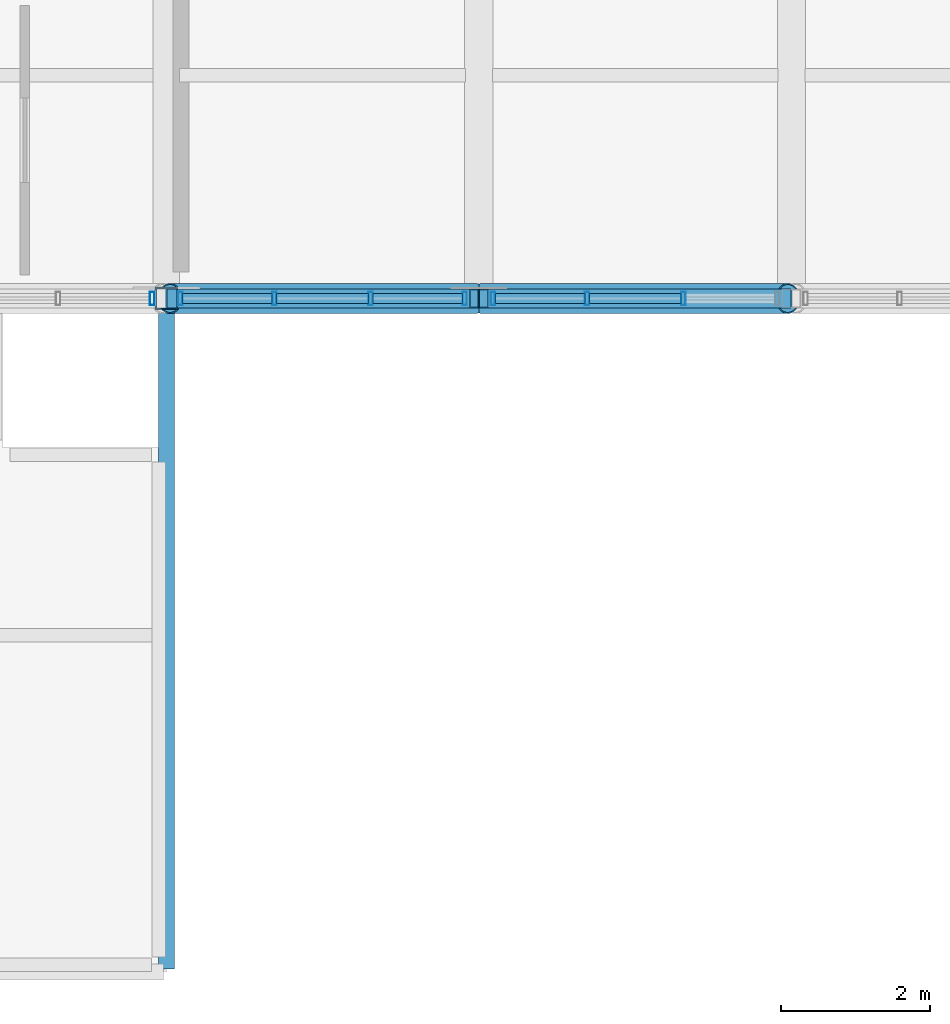
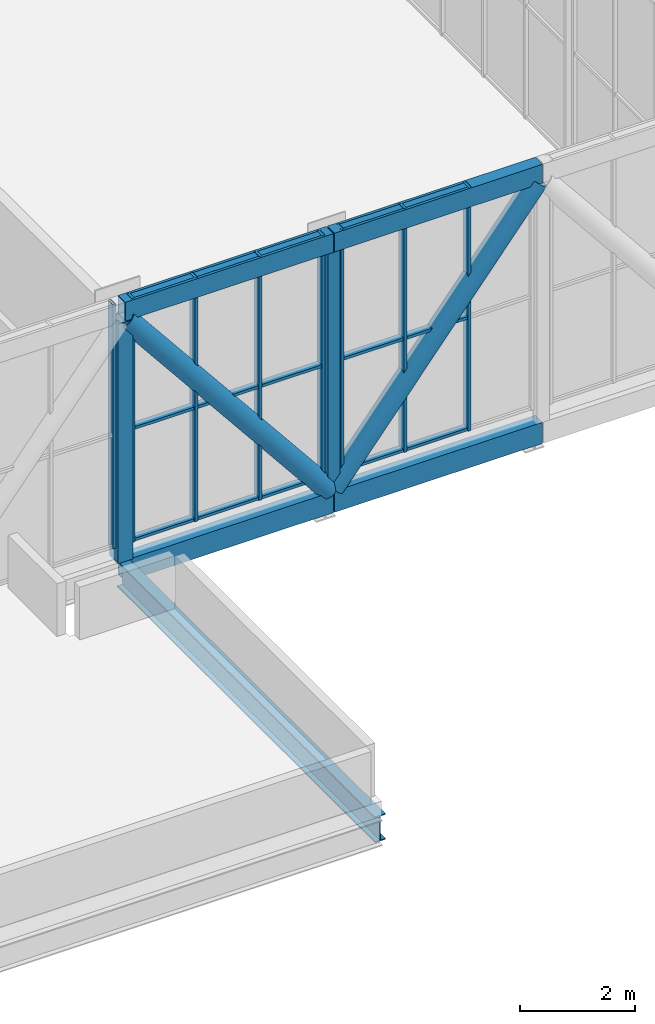
# One storey, part 36 of 58: 31 members, 1 beam, 3 elements without a shape of their own.
"""IFC4 building model written with IfcOpenShell, lengths in metres."""

from ifc_helpers import new_model, si_unit, direction, frame, origin, origin_2d, place, context, subcontext, project, spatial, hollow_rectangle, hollow_circle, i_section, extrude, material, material_profile, profile_set, type_object, element, aggregate, save


model = new_model("IFC4")

# Units and contexts
model_context = context("Model", 3, precision=1e-05, world=origin(), true_north=direction((0.0, 1.0)))
body_context = subcontext(model_context, "Body", "Model", "MODEL_VIEW")
ifc_project = project(units=[si_unit("LENGTHUNIT", "METRE"), si_unit("AREAUNIT", "SQUARE_METRE"), si_unit("VOLUMEUNIT", "CUBIC_METRE"), si_unit("PLANEANGLEUNIT", "RADIAN"), si_unit("MASSUNIT", "GRAM", prefix="KILO")], contexts=[model_context])

# Site, building, storey
site_placement = place(None, origin())
site = spatial("IfcSite", under=ifc_project, at=site_placement, CompositionType="ELEMENT")
building_placement = place(site_placement, origin())
building = spatial("IfcBuilding", under=site, at=building_placement, Name="Khurvash Pelagic Aquarium", CompositionType="ELEMENT")
storey_placement = place(building_placement, frame((0.0, 0.0, 24.60009765625)))
storey = spatial("IfcBuildingStorey", under=building, at=storey_placement, Name="L05", CompositionType="ELEMENT", Elevation=24.60009765625)

# Beam
ifc_material_1 = material(Name="Steel ASTM A992 Grade 50", Category="steel")
ifc_material_profile_1 = material_profile(ifc_material_1, i_section(OverallWidth=0.214111328125, OverallDepth=0.549072265625, WebThickness=0.0146484375, FlangeThickness=0.023681640625, at=origin_2d()), Name="W21X93")
ifc_profile_set_1 = profile_set([ifc_material_profile_1], Name="Steel ASTM A992 Grade 50")
beam_type = type_object("IfcBeamType", Name="BM-11", PredefinedType="BEAM", material=ifc_profile_set_1)
beam_placement = place(storey_placement, frame((109.199951171875, 2.639892578125, -0.594482421875), z_axis=(0.0, 1.0, 0.0), x_axis=(-1.0, 0.0, 0.0)))
element("IfcBeam", 1, at=beam_placement, inside=storey, type_object=beam_type, Name="L05 Roof Girder BM-11 01290", PredefinedType="BEAM", context=body_context, shape_type="SweptSolid", body=[
    extrude(i_section(OverallWidth=0.214111328125, OverallDepth=0.549072265625, WebThickness=0.0146484375, FlangeThickness=0.023681640625, at=origin_2d()), origin(), (0.0, 0.0, 1.0), 8.97021484375),
])

# Curtain wall, member
ifc_material_2 = material(Name="Anodised aluminium and low-E laminated glass", Category="aluminium")
curtain_wall_type = type_object("IfcCurtainWallType", Name="CW-01", PredefinedType="USERDEFINED", material=ifc_material_2)
curtain_wall_1_placement = place(storey_placement, origin())
curtain_wall_1 = element("IfcCurtainWall", 2, at=curtain_wall_1_placement, inside=storey, type_object=curtain_wall_type, Name="L05 South Sky-Bar Unitised Curtain Wall CW-01 P23", ObjectType="UNITISED CURTAIN WALL", PredefinedType="USERDEFINED")
ifc_material_3 = material(Name="Extruded aluminium AW-6063-T6", Category="aluminium")
ifc_material_profile_2 = material_profile(ifc_material_3, hollow_rectangle(XDim=0.06005859375, YDim=0.179931640625, WallThickness=0.00390625, at=origin_2d()), Name="CWM60X180X4")
ifc_profile_set_2 = profile_set([ifc_material_profile_2], Name="Extruded aluminium AW-6063-T6")
member_type_1 = type_object("IfcMemberType", Name="CM-01", PredefinedType="MULLION", material=ifc_profile_set_2)
member_1_placement = place(storey_placement, frame((109.010009765625, 11.64990234375, 0.0), z_axis=(0.0, 0.0, 1.0), x_axis=(1.0, 0.0, 0.0)))
member_1 = element("IfcMember", 3, at=member_1_placement, type_object=member_type_1, Name="CW-01 mullion 4", PredefinedType="MULLION", context=body_context, shape_type="SweptSolid", body=[
    extrude(hollow_rectangle(XDim=0.06005859375, YDim=0.179931640625, WallThickness=0.00390625, at=origin_2d()), origin(), (0.0, 0.0, 1.0), 5.179931640625),
])
aggregate(curtain_wall_1, [member_1])

# Curtain wall, members
curtain_wall_2_placement = place(storey_placement, origin())
curtain_wall_2 = element("IfcCurtainWall", 4, at=curtain_wall_2_placement, inside=storey, type_object=curtain_wall_type, Name="L05 South Sky-Bar Unitised Curtain Wall CW-01 P24", ObjectType="UNITISED CURTAIN WALL", PredefinedType="USERDEFINED")
member_2_placement = place(storey_placement, frame((109.389892578125, 11.64990234375, 0.0), z_axis=(0.0, 0.0, 1.0), x_axis=(1.0, 0.0, 0.0)))
member_2 = element("IfcMember", 5, at=member_2_placement, type_object=member_type_1, Name="CW-01 mullion 1", PredefinedType="MULLION", context=body_context, shape_type="SweptSolid", body=[
    extrude(hollow_rectangle(XDim=0.06005859375, YDim=0.179931640625, WallThickness=0.00390625, at=origin_2d()), origin(), (0.0, 0.0, 1.0), 5.179931640625),
])
member_3_placement = place(storey_placement, frame((110.6533203125, 11.64990234375, 0.0), z_axis=(0.0, 0.0, 1.0), x_axis=(1.0, 0.0, 0.0)))
member_3 = element("IfcMember", 6, at=member_3_placement, type_object=member_type_1, Name="CW-01 mullion 2", PredefinedType="MULLION", context=body_context, shape_type="SweptSolid", body=[
    extrude(hollow_rectangle(XDim=0.06005859375, YDim=0.179931640625, WallThickness=0.00390625, at=origin_2d()), origin(), (0.0, 0.0, 1.0), 5.179931640625),
])
member_4_placement = place(storey_placement, frame((111.94677734375, 11.64990234375, 0.0), z_axis=(0.0, 0.0, 1.0), x_axis=(1.0, 0.0, 0.0)))
member_4 = element("IfcMember", 7, at=member_4_placement, type_object=member_type_1, Name="CW-01 mullion 3", PredefinedType="MULLION", context=body_context, shape_type="SweptSolid", body=[
    extrude(hollow_rectangle(XDim=0.06005859375, YDim=0.179931640625, WallThickness=0.00390625, at=origin_2d()), origin(), (0.0, 0.0, 1.0), 5.179931640625),
])
member_5_placement = place(storey_placement, frame((113.2099609375, 11.64990234375, 0.0), z_axis=(0.0, 0.0, 1.0), x_axis=(1.0, 0.0, 0.0)))
member_5 = element("IfcMember", 8, at=member_5_placement, type_object=member_type_1, Name="CW-01 mullion 4", PredefinedType="MULLION", context=body_context, shape_type="SweptSolid", body=[
    extrude(hollow_rectangle(XDim=0.06005859375, YDim=0.179931640625, WallThickness=0.00390625, at=origin_2d()), origin(), (0.0, 0.0, 1.0), 5.179931640625),
])

curtain_wall_3_placement = place(storey_placement, origin())
curtain_wall_3 = element("IfcCurtainWall", 9, at=curtain_wall_3_placement, inside=storey, type_object=curtain_wall_type, Name="L05 South Sky-Bar Unitised Curtain Wall CW-01 P25", ObjectType="UNITISED CURTAIN WALL", PredefinedType="USERDEFINED")
member_6_placement = place(storey_placement, frame((113.590087890625, 11.64990234375, 0.0), z_axis=(0.0, 0.0, 1.0), x_axis=(1.0, 0.0, 0.0)))
member_6 = element("IfcMember", 10, at=member_6_placement, type_object=member_type_1, Name="CW-01 mullion 1", PredefinedType="MULLION", context=body_context, shape_type="SweptSolid", body=[
    extrude(hollow_rectangle(XDim=0.06005859375, YDim=0.179931640625, WallThickness=0.00390625, at=origin_2d()), origin(), (0.0, 0.0, 1.0), 5.179931640625),
])
member_7_placement = place(storey_placement, frame((114.853271484375, 11.64990234375, 0.0), z_axis=(0.0, 0.0, 1.0), x_axis=(1.0, 0.0, 0.0)))
member_7 = element("IfcMember", 11, at=member_7_placement, type_object=member_type_1, Name="CW-01 mullion 2", PredefinedType="MULLION", context=body_context, shape_type="SweptSolid", body=[
    extrude(hollow_rectangle(XDim=0.06005859375, YDim=0.179931640625, WallThickness=0.00390625, at=origin_2d()), origin(), (0.0, 0.0, 1.0), 5.179931640625),
])
member_8_placement = place(storey_placement, frame((116.146728515625, 11.64990234375, 0.0), z_axis=(0.0, 0.0, 1.0), x_axis=(1.0, 0.0, 0.0)))
member_8 = element("IfcMember", 12, at=member_8_placement, type_object=member_type_1, Name="CW-01 mullion 3", PredefinedType="MULLION", context=body_context, shape_type="SweptSolid", body=[
    extrude(hollow_rectangle(XDim=0.06005859375, YDim=0.179931640625, WallThickness=0.00390625, at=origin_2d()), origin(), (0.0, 0.0, 1.0), 5.179931640625),
])

# Member
ifc_material_profile_3 = material_profile(ifc_material_3, hollow_rectangle(XDim=0.139892578125, YDim=0.06005859375, WallThickness=0.00390625, at=origin_2d()), Name="CWT140X60X4")
ifc_profile_set_3 = profile_set([ifc_material_profile_3], Name="Extruded aluminium AW-6063-T6")
member_type_2 = type_object("IfcMemberType", Name="CT-01", PredefinedType="USERDEFINED", material=ifc_profile_set_3)
member_9_placement = place(storey_placement, frame((109.419921875, 11.64990234375, 0.02978515625), z_axis=(1.0, 0.0, 0.0), x_axis=(0.0, 1.0, 0.0)))
member_9 = element("IfcMember", 13, at=member_9_placement, type_object=member_type_2, Name="CW-01 transom 1.1", ObjectType="TRANSOM", PredefinedType="USERDEFINED", context=body_context, shape_type="SweptSolid", body=[
    extrude(hollow_rectangle(XDim=0.139892578125, YDim=0.06005859375, WallThickness=0.00390625, at=origin_2d()), origin(), (0.0, 0.0, 1.0), 1.203369140625),
])

member_10_placement = place(storey_placement, frame((109.419921875, 11.64990234375, 2.39990234375), z_axis=(1.0, 0.0, 0.0), x_axis=(0.0, 1.0, 0.0)))
member_10 = element("IfcMember", 14, at=member_10_placement, type_object=member_type_2, Name="CW-01 transom 1.2", ObjectType="TRANSOM", PredefinedType="USERDEFINED", context=body_context, shape_type="SweptSolid", body=[
    extrude(hollow_rectangle(XDim=0.139892578125, YDim=0.06005859375, WallThickness=0.00390625, at=origin_2d()), origin(), (0.0, 0.0, 1.0), 1.203369140625),
])

member_11_placement = place(storey_placement, frame((109.419921875, 11.64990234375, 5.14990234375), z_axis=(1.0, 0.0, 0.0), x_axis=(0.0, 1.0, 0.0)))
member_11 = element("IfcMember", 15, at=member_11_placement, type_object=member_type_2, Name="CW-01 transom 1.3", ObjectType="TRANSOM", PredefinedType="USERDEFINED", context=body_context, shape_type="SweptSolid", body=[
    extrude(hollow_rectangle(XDim=0.139892578125, YDim=0.06005859375, WallThickness=0.00390625, at=origin_2d()), origin(), (0.0, 0.0, 1.0), 1.203369140625),
])

member_12_placement = place(storey_placement, frame((110.683349609375, 11.64990234375, 0.02978515625), z_axis=(1.0, 0.0, 0.0), x_axis=(0.0, 1.0, 0.0)))
member_12 = element("IfcMember", 16, at=member_12_placement, type_object=member_type_2, Name="CW-01 transom 2.1", ObjectType="TRANSOM", PredefinedType="USERDEFINED", context=body_context, shape_type="SweptSolid", body=[
    extrude(hollow_rectangle(XDim=0.139892578125, YDim=0.06005859375, WallThickness=0.00390625, at=origin_2d()), origin(), (0.0, 0.0, 1.0), 1.2333984375),
])

member_13_placement = place(storey_placement, frame((110.683349609375, 11.64990234375, 2.39990234375), z_axis=(1.0, 0.0, 0.0), x_axis=(0.0, 1.0, 0.0)))
member_13 = element("IfcMember", 17, at=member_13_placement, type_object=member_type_2, Name="CW-01 transom 2.2", ObjectType="TRANSOM", PredefinedType="USERDEFINED", context=body_context, shape_type="SweptSolid", body=[
    extrude(hollow_rectangle(XDim=0.139892578125, YDim=0.06005859375, WallThickness=0.00390625, at=origin_2d()), origin(), (0.0, 0.0, 1.0), 1.2333984375),
])

member_14_placement = place(storey_placement, frame((110.683349609375, 11.64990234375, 5.14990234375), z_axis=(1.0, 0.0, 0.0), x_axis=(0.0, 1.0, 0.0)))
member_14 = element("IfcMember", 18, at=member_14_placement, type_object=member_type_2, Name="CW-01 transom 2.3", ObjectType="TRANSOM", PredefinedType="USERDEFINED", context=body_context, shape_type="SweptSolid", body=[
    extrude(hollow_rectangle(XDim=0.139892578125, YDim=0.06005859375, WallThickness=0.00390625, at=origin_2d()), origin(), (0.0, 0.0, 1.0), 1.2333984375),
])

member_15_placement = place(storey_placement, frame((111.9765625, 11.64990234375, 0.02978515625), z_axis=(1.0, 0.0, 0.0), x_axis=(0.0, 1.0, 0.0)))
member_15 = element("IfcMember", 19, at=member_15_placement, type_object=member_type_2, Name="CW-01 transom 3.1", ObjectType="TRANSOM", PredefinedType="USERDEFINED", context=body_context, shape_type="SweptSolid", body=[
    extrude(hollow_rectangle(XDim=0.139892578125, YDim=0.06005859375, WallThickness=0.00390625, at=origin_2d()), origin(), (0.0, 0.0, 1.0), 1.203369140625),
])

member_16_placement = place(storey_placement, frame((111.9765625, 11.64990234375, 2.39990234375), z_axis=(1.0, 0.0, 0.0), x_axis=(0.0, 1.0, 0.0)))
member_16 = element("IfcMember", 20, at=member_16_placement, type_object=member_type_2, Name="CW-01 transom 3.2", ObjectType="TRANSOM", PredefinedType="USERDEFINED", context=body_context, shape_type="SweptSolid", body=[
    extrude(hollow_rectangle(XDim=0.139892578125, YDim=0.06005859375, WallThickness=0.00390625, at=origin_2d()), origin(), (0.0, 0.0, 1.0), 1.203369140625),
])

member_17_placement = place(storey_placement, frame((111.9765625, 11.64990234375, 5.14990234375), z_axis=(1.0, 0.0, 0.0), x_axis=(0.0, 1.0, 0.0)))
member_17 = element("IfcMember", 21, at=member_17_placement, type_object=member_type_2, Name="CW-01 transom 3.3", ObjectType="TRANSOM", PredefinedType="USERDEFINED", context=body_context, shape_type="SweptSolid", body=[
    extrude(hollow_rectangle(XDim=0.139892578125, YDim=0.06005859375, WallThickness=0.00390625, at=origin_2d()), origin(), (0.0, 0.0, 1.0), 1.203369140625),
])

aggregate(curtain_wall_2, [member_2, member_3, member_4, member_5, member_9, member_10, member_11, member_12, member_13, member_14, member_15, member_16, member_17])

member_18_placement = place(storey_placement, frame((113.6201171875, 11.64990234375, 0.02978515625), z_axis=(1.0, 0.0, 0.0), x_axis=(0.0, 1.0, 0.0)))
member_18 = element("IfcMember", 22, at=member_18_placement, type_object=member_type_2, Name="CW-01 transom 1.1", ObjectType="TRANSOM", PredefinedType="USERDEFINED", context=body_context, shape_type="SweptSolid", body=[
    extrude(hollow_rectangle(XDim=0.139892578125, YDim=0.06005859375, WallThickness=0.00390625, at=origin_2d()), origin(), (0.0, 0.0, 1.0), 1.203125),
])

member_19_placement = place(storey_placement, frame((113.6201171875, 11.64990234375, 2.39990234375), z_axis=(1.0, 0.0, 0.0), x_axis=(0.0, 1.0, 0.0)))
member_19 = element("IfcMember", 23, at=member_19_placement, type_object=member_type_2, Name="CW-01 transom 1.2", ObjectType="TRANSOM", PredefinedType="USERDEFINED", context=body_context, shape_type="SweptSolid", body=[
    extrude(hollow_rectangle(XDim=0.139892578125, YDim=0.06005859375, WallThickness=0.00390625, at=origin_2d()), origin(), (0.0, 0.0, 1.0), 1.203125),
])

member_20_placement = place(storey_placement, frame((113.6201171875, 11.64990234375, 5.14990234375), z_axis=(1.0, 0.0, 0.0), x_axis=(0.0, 1.0, 0.0)))
member_20 = element("IfcMember", 24, at=member_20_placement, type_object=member_type_2, Name="CW-01 transom 1.3", ObjectType="TRANSOM", PredefinedType="USERDEFINED", context=body_context, shape_type="SweptSolid", body=[
    extrude(hollow_rectangle(XDim=0.139892578125, YDim=0.06005859375, WallThickness=0.00390625, at=origin_2d()), origin(), (0.0, 0.0, 1.0), 1.203125),
])

member_21_placement = place(storey_placement, frame((114.88330078125, 11.64990234375, 0.02978515625), z_axis=(1.0, 0.0, 0.0), x_axis=(0.0, 1.0, 0.0)))
member_21 = element("IfcMember", 25, at=member_21_placement, type_object=member_type_2, Name="CW-01 transom 2.1", ObjectType="TRANSOM", PredefinedType="USERDEFINED", context=body_context, shape_type="SweptSolid", body=[
    extrude(hollow_rectangle(XDim=0.139892578125, YDim=0.06005859375, WallThickness=0.00390625, at=origin_2d()), origin(), (0.0, 0.0, 1.0), 1.2333984375),
])

member_22_placement = place(storey_placement, frame((114.88330078125, 11.64990234375, 2.39990234375), z_axis=(1.0, 0.0, 0.0), x_axis=(0.0, 1.0, 0.0)))
member_22 = element("IfcMember", 26, at=member_22_placement, type_object=member_type_2, Name="CW-01 transom 2.2", ObjectType="TRANSOM", PredefinedType="USERDEFINED", context=body_context, shape_type="SweptSolid", body=[
    extrude(hollow_rectangle(XDim=0.139892578125, YDim=0.06005859375, WallThickness=0.00390625, at=origin_2d()), origin(), (0.0, 0.0, 1.0), 1.2333984375),
])

member_23_placement = place(storey_placement, frame((114.88330078125, 11.64990234375, 5.14990234375), z_axis=(1.0, 0.0, 0.0), x_axis=(0.0, 1.0, 0.0)))
member_23 = element("IfcMember", 27, at=member_23_placement, type_object=member_type_2, Name="CW-01 transom 2.3", ObjectType="TRANSOM", PredefinedType="USERDEFINED", context=body_context, shape_type="SweptSolid", body=[
    extrude(hollow_rectangle(XDim=0.139892578125, YDim=0.06005859375, WallThickness=0.00390625, at=origin_2d()), origin(), (0.0, 0.0, 1.0), 1.2333984375),
])

aggregate(curtain_wall_3, [member_6, member_7, member_8, member_18, member_19, member_20, member_21, member_22, member_23])

# Members
ifc_material_4 = material(Name="Steel S355J2", Category="steel")
ifc_material_profile_4 = material_profile(ifc_material_4, hollow_rectangle(XDim=0.25, YDim=0.449951171875, WallThickness=0.02001953125, at=origin_2d()), Name="RHS450X250X20")
ifc_profile_set_4 = profile_set([ifc_material_profile_4], Name="Steel S355J2")
member_type_3 = type_object("IfcMemberType", Name="TC-01", PredefinedType="CHORD", material=ifc_profile_set_4)
member_24_placement = place(storey_placement, frame((109.2099609375, 11.64990234375, -0.525146484375), z_axis=(1.0, 0.0, 0.0), x_axis=(0.0, 1.0, 0.0)))
element("IfcMember", 28, at=member_24_placement, inside=storey, type_object=member_type_3, Name="L05 South Sky-Bar Warren Truss Bottom Chord TC-01 P24", PredefinedType="CHORD", context=body_context, shape_type="SweptSolid", body=[
    extrude(hollow_rectangle(XDim=0.25, YDim=0.449951171875, WallThickness=0.02001953125, at=origin_2d()), origin(), (0.0, 0.0, 1.0), 4.179931640625),
])
member_25_placement = place(storey_placement, frame((113.409912109375, 11.64990234375, -0.525146484375), z_axis=(1.0, 0.0, 0.0), x_axis=(0.0, 1.0, 0.0)))
element("IfcMember", 29, at=member_25_placement, inside=storey, type_object=member_type_3, Name="L05 South Sky-Bar Warren Truss Bottom Chord TC-01 P25", PredefinedType="CHORD", context=body_context, shape_type="SweptSolid", body=[
    extrude(hollow_rectangle(XDim=0.25, YDim=0.449951171875, WallThickness=0.02001953125, at=origin_2d()), origin(), (0.0, 0.0, 1.0), 4.18017578125),
])
ifc_material_profile_5 = material_profile(ifc_material_4, hollow_rectangle(XDim=0.25, YDim=0.39990234375, WallThickness=0.01611328125, at=origin_2d()), Name="RHS400X250X16")
ifc_profile_set_5 = profile_set([ifc_material_profile_5], Name="Steel S355J2")
member_type_4 = type_object("IfcMemberType", Name="TC-02", PredefinedType="CHORD", material=ifc_profile_set_5)
member_26_placement = place(storey_placement, frame((109.2099609375, 11.64990234375, 4.97998046875), z_axis=(1.0, 0.0, 0.0), x_axis=(0.0, 1.0, 0.0)))
element("IfcMember", 30, at=member_26_placement, inside=storey, type_object=member_type_4, Name="L05 South Sky-Bar Warren Truss Top Chord TC-02 P24", PredefinedType="CHORD", context=body_context, shape_type="SweptSolid", body=[
    extrude(hollow_rectangle(XDim=0.25, YDim=0.39990234375, WallThickness=0.01611328125, at=origin_2d()), origin(), (0.0, 0.0, 1.0), 4.179931640625),
])
member_27_placement = place(storey_placement, frame((113.409912109375, 11.64990234375, 4.97998046875), z_axis=(1.0, 0.0, 0.0), x_axis=(0.0, 1.0, 0.0)))
element("IfcMember", 31, at=member_27_placement, inside=storey, type_object=member_type_4, Name="L05 South Sky-Bar Warren Truss Top Chord TC-02 P25", PredefinedType="CHORD", context=body_context, shape_type="SweptSolid", body=[
    extrude(hollow_rectangle(XDim=0.25, YDim=0.39990234375, WallThickness=0.01611328125, at=origin_2d()), origin(), (0.0, 0.0, 1.0), 4.18017578125),
])
ifc_material_profile_6 = material_profile(ifc_material_4, hollow_circle(Radius=0.203125, WallThickness=0.01611328125, at=origin_2d()), Name="CHS406X16")
ifc_profile_set_6 = profile_set([ifc_material_profile_6], Name="Steel S355J2")
member_type_5 = type_object("IfcMemberType", Name="TD-01", PredefinedType="BRACE", material=ifc_profile_set_6)
for number, where, z_axis, x_axis, name in (
    (32, (109.25, 11.64990234375, 4.77978515625), (0.628073304864, 0.0, -0.778154177343), (0.0, 1.0, 0.0), "L05 South Sky-Bar Warren Truss Diagonal TD-01 P24"),
    (33, (113.449951171875, 11.64990234375, -0.300048828125), (0.628073304864, 0.0, 0.778154177343), (0.0, 1.0, 0.0), "L05 South Sky-Bar Warren Truss Diagonal TD-01 P25"),
):
    element("IfcMember", number, at=place(storey_placement, frame(where, z_axis=z_axis, x_axis=x_axis)), inside=storey, type_object=member_type_5, Name=name, PredefinedType="BRACE", context=body_context, shape_type="SweptSolid", body=[
        extrude(hollow_circle(Radius=0.203125, WallThickness=0.01611328125, at=origin_2d()), origin(), (0.0, 0.0, 1.0), 6.528076171875),
    ])
ifc_material_profile_7 = material_profile(ifc_material_4, hollow_rectangle(XDim=0.300048828125, YDim=0.300048828125, WallThickness=0.01611328125, at=origin_2d()), Name="SHS300X300X16")
ifc_profile_set_7 = profile_set([ifc_material_profile_7], Name="Steel S355J2")
member_type_6 = type_object("IfcMemberType", Name="TV-01", PredefinedType="POST", material=ifc_profile_set_7)
member_28_placement = place(storey_placement, frame((109.199951171875, 11.64990234375, -0.300048828125), z_axis=(0.0, 0.0, 1.0), x_axis=(1.0, 0.0, 0.0)))
element("IfcMember", 34, at=member_28_placement, inside=storey, type_object=member_type_6, Name="L05 South Sky-Bar Truss Post TV-01 N24", PredefinedType="POST", context=body_context, shape_type="SweptSolid", body=[
    extrude(hollow_rectangle(XDim=0.300048828125, YDim=0.300048828125, WallThickness=0.01611328125, at=origin_2d()), origin(), (0.0, 0.0, 1.0), 5.079833984375),
])
ifc_material_profile_8 = material_profile(ifc_material_4, hollow_rectangle(XDim=0.25, YDim=0.25, WallThickness=0.012451171875, at=origin_2d()), Name="SHS250X250X12")
ifc_profile_set_8 = profile_set([ifc_material_profile_8], Name="Steel S355J2")
member_type_7 = type_object("IfcMemberType", Name="TV-02", PredefinedType="POST", material=ifc_profile_set_8)
member_29_placement = place(storey_placement, frame((113.39990234375, 11.64990234375, -0.300048828125), z_axis=(0.0, 0.0, 1.0), x_axis=(1.0, 0.0, 0.0)))
element("IfcMember", 35, at=member_29_placement, inside=storey, type_object=member_type_7, Name="L05 South Sky-Bar Truss Post TV-02 N25", PredefinedType="POST", context=body_context, shape_type="SweptSolid", body=[
    extrude(hollow_rectangle(XDim=0.25, YDim=0.25, WallThickness=0.012451171875, at=origin_2d()), origin(), (0.0, 0.0, 1.0), 5.079833984375),
])

save(model, "model.ifc")
